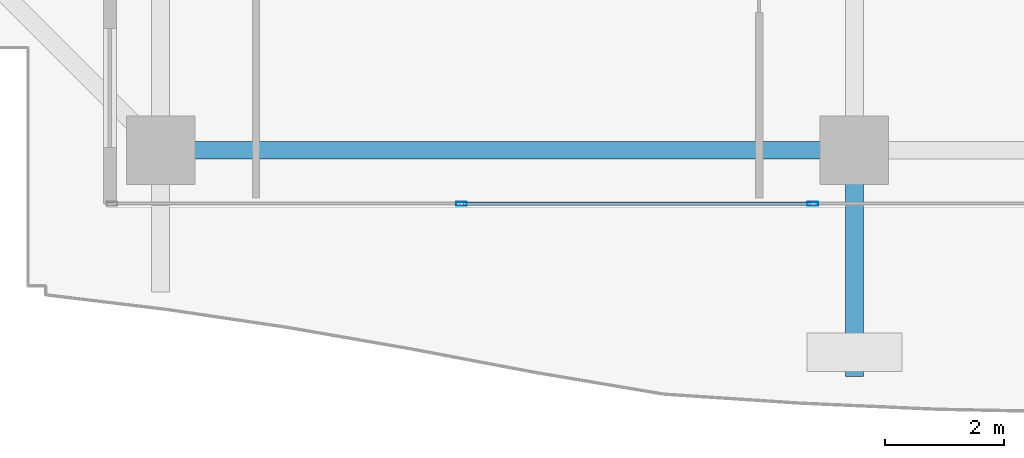
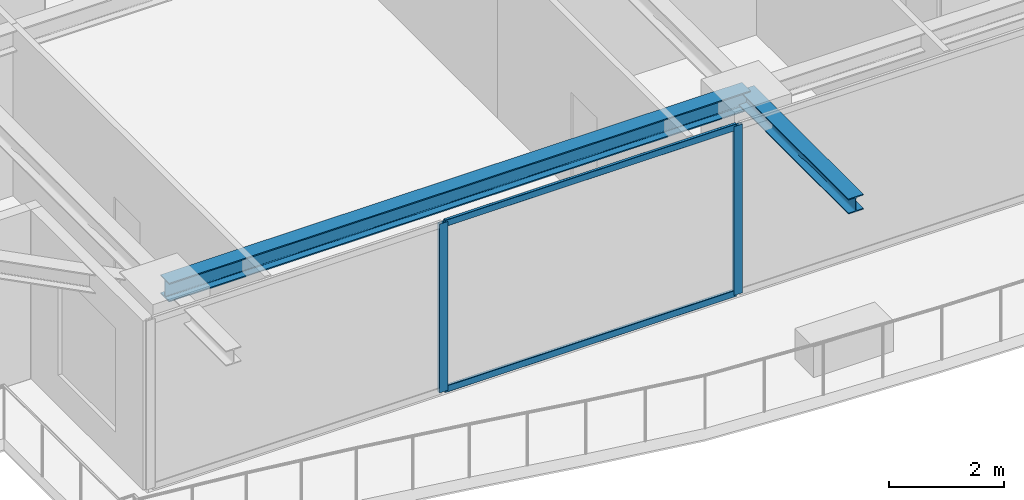
# One storey, part 5 of 36: 4 members, 2 beams, 1 element without a shape of its own.
"""IFC4 building model written with IfcOpenShell, lengths in metres."""

from ifc_helpers import new_model, si_unit, direction, frame, origin, origin_2d, place, context, subcontext, project, spatial, hollow_rectangle, i_section, extrude, source, transform, mapped, material, layer, layer_set, material_profile, profile_set, type_object, element, aggregate, save


model = new_model("IFC4")

# Units and contexts
model_context = context("Model", 3, precision=1e-05, world=origin(), true_north=direction((0.0, 1.0)))
body_context = subcontext(model_context, "Body", "Model", "MODEL_VIEW")
ifc_project = project(units=[si_unit("LENGTHUNIT", "METRE"), si_unit("AREAUNIT", "SQUARE_METRE"), si_unit("VOLUMEUNIT", "CUBIC_METRE"), si_unit("PLANEANGLEUNIT", "RADIAN"), si_unit("MASSUNIT", "GRAM", prefix="KILO")], contexts=[model_context])

# Site, building, storey
site_placement = place(None, origin())
site = spatial("IfcSite", under=ifc_project, at=site_placement, CompositionType="ELEMENT")
building_placement = place(site_placement, origin())
building = spatial("IfcBuilding", under=site, at=building_placement, Name="Serunith Strait Residences", CompositionType="ELEMENT")
storey_placement = place(building_placement, frame((0.0, 0.0, 256.64990234375)))
storey = spatial("IfcBuildingStorey", under=building, at=storey_placement, Name="L64", CompositionType="ELEMENT", Elevation=256.64990234375)

# Beams
ifc_material_1 = material(Name="Steel S355J2", Category="steel")
ifc_material_profile_1 = material_profile(ifc_material_1, i_section(OverallWidth=0.300048828125, OverallDepth=0.39990234375, WebThickness=0.013427734375, FlangeThickness=0.02392578125, FilletRadius=0.027099609375, at=origin_2d()), Name="HEB 400")
ifc_profile_set_1 = profile_set([ifc_material_profile_1], Name="Steel S355J2")
beam_type_1 = type_object("IfcBeamType", Name="BM-HEB400", PredefinedType="BEAM", material=ifc_profile_set_1)
shared_shape_1 = source(origin(), body_context, "Body", "SweptSolid", [
    extrude(i_section(OverallWidth=0.300048828125, OverallDepth=0.39990234375, WebThickness=0.013427734375, FlangeThickness=0.02392578125, FilletRadius=0.027099609375, at=origin_2d()), origin(), (0.0, 0.0, 1.0), 11.64990234375),
])
beam_1_placement = place(storey_placement, frame((16.25, 2.10009765625, 3.38720703125), z_axis=(1.0, 0.0, 0.0), x_axis=(0.0, 1.0, 0.0)))
element("IfcBeam", 1, at=beam_1_placement, inside=storey, type_object=beam_type_1, Name="L64 Perimeter Ring Beam 01", PredefinedType="BEAM", context=body_context, shape_type="MappedRepresentation", body=[
    mapped(shared_shape_1, transform((0.0, 0.0, 0.0), scale=1.0)),
])
ifc_material_profile_2 = material_profile(ifc_material_1, i_section(OverallWidth=0.300048828125, OverallDepth=0.320068359375, WebThickness=0.011474609375, FlangeThickness=0.0205078125, FilletRadius=0.027099609375, at=origin_2d()), Name="HEB 320")
ifc_profile_set_2 = profile_set([ifc_material_profile_2], Name="Steel S355J2")
beam_type_2 = type_object("IfcBeamType", Name="BM-HEB320", PredefinedType="BEAM", material=ifc_profile_set_2)
shared_shape_2 = source(origin(), body_context, "Body", "SweptSolid", [
    extrude(i_section(OverallWidth=0.300048828125, OverallDepth=0.320068359375, WebThickness=0.011474609375, FlangeThickness=0.0205078125, FilletRadius=0.027099609375, at=origin_2d()), origin(), (0.0, 0.0, 1.0), 3.800048828125),
])
beam_2_placement = place(storey_placement, frame((27.89990234375, 2.10009765625, 3.397216796875), z_axis=(0.0, -1.0, 0.0), x_axis=(1.0, 0.0, 0.0)))
element("IfcBeam", 2, at=beam_2_placement, inside=storey, type_object=beam_type_2, Name="L65 Cantilevered Balcony Rib TC-S2", PredefinedType="BEAM", context=body_context, shape_type="MappedRepresentation", body=[
    mapped(shared_shape_2, transform((0.0, 0.0, 0.0), scale=1.0)),
])

# Curtain wall, members
ifc_material_2 = material(Name="Pale-Champagne Anodised Aluminium", Category="aluminium")
ifc_layer = layer(ifc_material_2, 0.199951171875, Name="Pale-Champagne Anodised Aluminium")
ifc_layer_set = layer_set([ifc_layer], Name="Pale-Champagne Anodised Aluminium")
curtain_wall_type = type_object("IfcCurtainWallType", Name="CW-SYS4", PredefinedType="NOTDEFINED", material=ifc_layer_set)
curtain_wall_placement = place(storey_placement, origin())
curtain_wall = element("IfcCurtainWall", 3, at=curtain_wall_placement, inside=storey, type_object=curtain_wall_type, Name="L64 S Unitised Fritted Curtain Wall", PredefinedType="NOTDEFINED")
ifc_material_profile_3 = material_profile(ifc_material_2, hollow_rectangle(XDim=0.06494140625, YDim=0.179931640625, WallThickness=0.00341796875, InnerFilletRadius=0.00537109375, OuterFilletRadius=0.0087890625, at=origin_2d()), Name="ALU 180x65x3.5")
ifc_profile_set_3 = profile_set([ifc_material_profile_3], Name="Pale-Champagne Anodised Aluminium")
member_type_1 = type_object("IfcMemberType", Name="CW-SYS4-MULL", PredefinedType="MULLION", material=ifc_profile_set_3)
shared_shape_3 = source(origin(), body_context, "Body", "SweptSolid", [
    extrude(hollow_rectangle(XDim=0.06494140625, YDim=0.179931640625, WallThickness=0.00341796875, InnerFilletRadius=0.00537109375, OuterFilletRadius=0.0087890625, at=origin_2d()), origin(), (0.0, 0.0, 1.0), 3.5751953125),
])
member_1_placement = place(storey_placement, frame((21.300048828125, 1.199951171875, 0.0), z_axis=(0.0, 0.0, 1.0), x_axis=(0.0, 1.0, 0.0)))
member_1 = element("IfcMember", 4, at=member_1_placement, type_object=member_type_1, Name="CW-4 mullion 2", PredefinedType="MULLION", context=body_context, shape_type="MappedRepresentation", body=[
    mapped(shared_shape_3, transform((0.0, 0.0, 0.0), scale=1.0)),
])
member_2_placement = place(storey_placement, frame((27.199951171875, 1.199951171875, 0.0), z_axis=(0.0, 0.0, 1.0), x_axis=(0.0, 1.0, 0.0)))
member_2 = element("IfcMember", 5, at=member_2_placement, type_object=member_type_1, Name="CW-4 mullion 3", PredefinedType="MULLION", context=body_context, shape_type="MappedRepresentation", body=[
    mapped(shared_shape_3, transform((0.0, 0.0, 0.0), scale=1.0)),
])
ifc_material_profile_4 = material_profile(ifc_material_2, hollow_rectangle(XDim=0.06005859375, YDim=0.139892578125, WallThickness=0.00341796875, InnerFilletRadius=0.00537109375, OuterFilletRadius=0.0087890625, at=origin_2d()), Name="ALU 140x60x3.5")
ifc_profile_set_4 = profile_set([ifc_material_profile_4], Name="Pale-Champagne Anodised Aluminium")
member_type_2 = type_object("IfcMemberType", Name="CW-SYS4-TRAN", PredefinedType="USERDEFINED", material=ifc_profile_set_4)
shared_shape_4 = source(origin(), body_context, "Body", "SweptSolid", [
    extrude(hollow_rectangle(XDim=0.06005859375, YDim=0.139892578125, WallThickness=0.00341796875, InnerFilletRadius=0.00537109375, OuterFilletRadius=0.0087890625, at=origin_2d()), origin(), (0.0, 0.0, 1.0), 5.8349609375),
])
member_3_placement = place(storey_placement, frame((21.33251953125, 1.199951171875, 0.030029296875), z_axis=(1.0, 0.0, 0.0), x_axis=(0.0, 1.0, 0.0)))
member_3 = element("IfcMember", 6, at=member_3_placement, type_object=member_type_2, Name="CW-4 transom 2.1", ObjectType="TRANSOM", PredefinedType="USERDEFINED", context=body_context, shape_type="MappedRepresentation", body=[
    mapped(shared_shape_4, transform((0.0, 0.0, 0.0), scale=1.0)),
])
member_4_placement = place(storey_placement, frame((21.33251953125, 1.199951171875, 3.545166015625), z_axis=(1.0, 0.0, 0.0), x_axis=(0.0, 1.0, 0.0)))
member_4 = element("IfcMember", 7, at=member_4_placement, type_object=member_type_2, Name="CW-4 transom 2.2", ObjectType="TRANSOM", PredefinedType="USERDEFINED", context=body_context, shape_type="MappedRepresentation", body=[
    mapped(shared_shape_4, transform((0.0, 0.0, 0.0), scale=1.0)),
])
aggregate(curtain_wall, [member_1, member_2, member_3, member_4])

save(model, "model.ifc")
